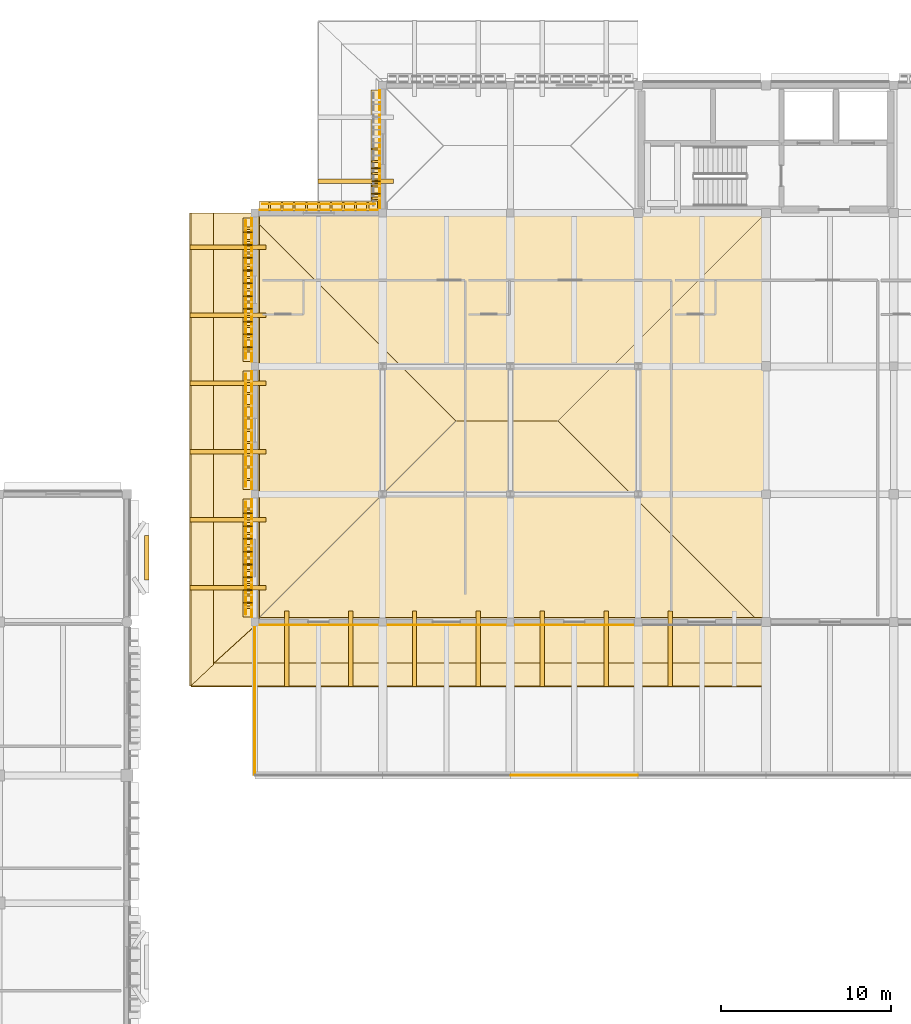
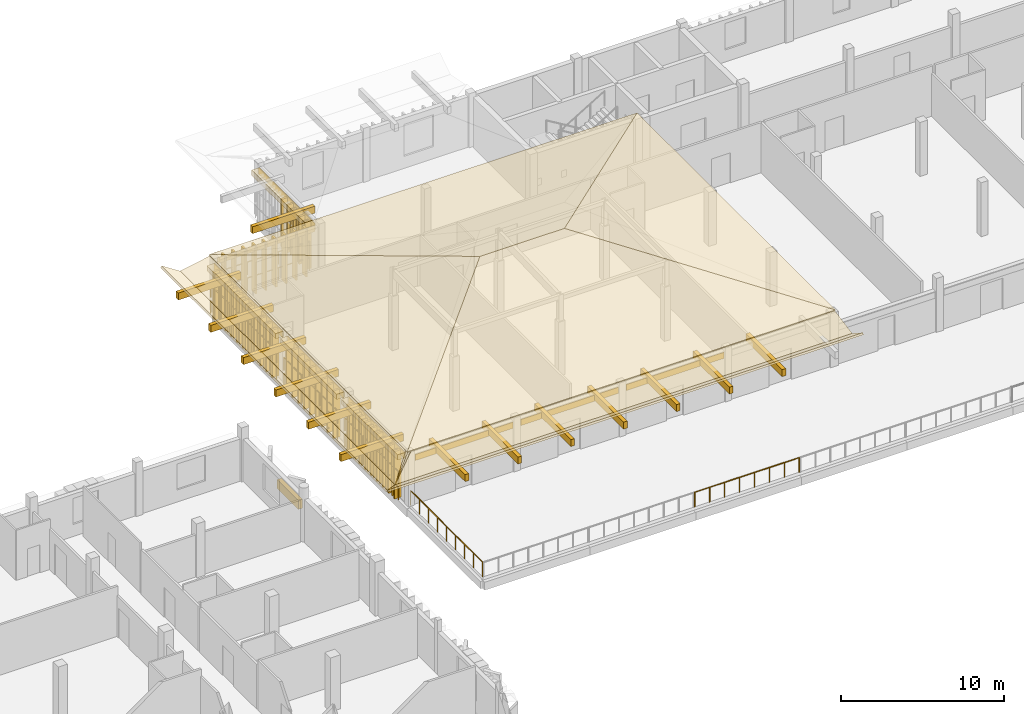
# One storey, part 40 of 48: 79 coverings, 21 shading devices, 10 railings.
"""IFC4 building model written with IfcOpenShell, lengths in metres."""

from ifc_helpers import new_model, si_unit, direction, frame, origin, origin_2d, place, context, subcontext, project, spatial, polyline, rectangle, circle, outline, extrude, material, layer, layer_set, type_object, element, save


model = new_model("IFC4")

# Units and contexts
model_context = context("Model", 3, precision=1e-05, world=origin(), true_north=direction((0.0, 1.0)))
body_context = subcontext(model_context, "Body", "Model", "MODEL_VIEW")
ifc_project = project(units=[si_unit("LENGTHUNIT", "METRE"), si_unit("AREAUNIT", "SQUARE_METRE"), si_unit("VOLUMEUNIT", "CUBIC_METRE"), si_unit("PLANEANGLEUNIT", "RADIAN"), si_unit("MASSUNIT", "GRAM", prefix="KILO")], contexts=[model_context])

# Site, building, storey
site_placement = place(None, origin())
site = spatial("IfcSite", under=ifc_project, at=site_placement, CompositionType="ELEMENT")
building_placement = place(site_placement, origin())
building = spatial("IfcBuilding", under=site, at=building_placement, Name="Dalvernix Boulevard General Hospital", CompositionType="ELEMENT")
storey_placement = place(building_placement, frame((0.0, 0.0, 17.85009765625)))
storey = spatial("IfcBuildingStorey", under=building, at=storey_placement, Name="L04", CompositionType="ELEMENT", Elevation=17.85009765625)

# Coverings
ifc_material_1 = material(Name="Polychrome glazed Catalan trencadis ceramic faceted bay spandrel")
ifc_layer_1 = layer(ifc_material_1, 0.280029296875)
ifc_layer_set_1 = layer_set([ifc_layer_1], Name="Polychrome glazed Catalan trencadis ceramic faceted bay spandrel (COV-BAY-01)")
covering_type_1 = type_object("IfcCoveringType", Name="COV-BAY-01", PredefinedType="CLADDING", material=ifc_layer_set_1)
covering_1_placement = place(storey_placement, frame((31.159912109375, 89.262451171875, 0.3798828125), z_axis=(0.0, 0.0, 1.0), x_axis=(0.0, -1.0, 0.0)))
element("IfcCovering", 1, at=covering_1_placement, inside=storey, type_object=covering_type_1, Name="L04 projecting faceted trencadis bay spandrel E 4-11", PredefinedType="CLADDING", context=body_context, shape_type="SweptSolid", body=[
    extrude(rectangle(XDim=2.60009765625, YDim=0.280029296875, at=origin_2d()), origin(), (0.0, 0.0, 1.0), 0.679931640625),
])
ifc_material_2 = material(Name="Polychrome Catalan glazed ceramic spandrel tile panel")
ifc_layer_2 = layer(ifc_material_2, 0.044921875)
ifc_layer_set_2 = layer_set([ifc_layer_2], Name="Polychrome Catalan glazed ceramic spandrel tile panel (COV-CLD-01)")
covering_type_2 = type_object("IfcCoveringType", Name="COV-CLD-01", PredefinedType="CLADDING", material=ifc_layer_set_2)
for number, where, z_axis, x_axis, name in (
    (2, (41.25, 85.330078125, 3.294921875), (0.0, 0.0, 1.0), (-1.0, 0.0, 0.0), "L04 polychrome ceramic spandrel S 5-11"),
    (3, (37.330078125, 89.25, 3.294921875), (0.0, 0.0, 1.0), (0.0, 1.0, 0.0), "L04 polychrome ceramic spandrel W 5-11"),
    (4, (37.330078125, 96.75, 3.294921875), (0.0, 0.0, 1.0), (0.0, 1.0, 0.0), "L04 polychrome ceramic spandrel W 5-12"),
    (5, (41.25, 109.669921875, 3.294921875), (0.0, 0.0, 1.0), (1.0, 0.0, 0.0), "L04 polychrome ceramic spandrel N 5-14"),
):
    element("IfcCovering", number, at=place(storey_placement, frame(where, z_axis=z_axis, x_axis=x_axis)), inside=storey, type_object=covering_type_2, Name=name, PredefinedType="CLADDING", context=body_context, shape_type="SweptSolid", body=[
        extrude(rectangle(XDim=6.929931640625, YDim=0.044921875, at=origin_2d()), origin(), (0.0, 0.0, 1.0), 0.449951171875),
    ])
covering_2_placement = place(storey_placement, frame((37.330078125, 105.0, 3.294921875), z_axis=(0.0, 0.0, 1.0), x_axis=(0.0, 1.0, 0.0)))
element("IfcCovering", 6, at=covering_2_placement, inside=storey, type_object=covering_type_2, Name="L04 polychrome ceramic spandrel W 5-13", PredefinedType="CLADDING", context=body_context, shape_type="SweptSolid", body=[
    extrude(rectangle(XDim=8.429931640625, YDim=0.044921875, at=origin_2d()), origin(), (0.0, 0.0, 1.0), 0.449951171875),
])
for number, where, z_axis, x_axis, name in (
    (7, (48.75, 85.330078125, 3.294921875), (0.0, 0.0, 1.0), (-1.0, 0.0, 0.0), "L04 polychrome ceramic spandrel S 6-11"),
    (8, (44.830078125, 113.25, 3.294921875), (0.0, 0.0, 1.0), (0.0, 1.0, 0.0), "L04 polychrome ceramic spandrel W 6-14"),
    (9, (56.25, 85.330078125, 3.294921875), (0.0, 0.0, 1.0), (-1.0, 0.0, 0.0), "L04 polychrome ceramic spandrel S 7-11"),
):
    element("IfcCovering", number, at=place(storey_placement, frame(where, z_axis=z_axis, x_axis=x_axis)), inside=storey, type_object=covering_type_2, Name=name, PredefinedType="CLADDING", context=body_context, shape_type="SweptSolid", body=[
        extrude(rectangle(XDim=6.929931640625, YDim=0.044921875, at=origin_2d()), origin(), (0.0, 0.0, 1.0), 0.449951171875),
    ])
ifc_material_3 = material(Name="Dressed ochre limestone classical plinth, stringcourse and corbelled cornice", Category="masonry")
ifc_layer_3 = layer(ifc_material_3, 0.449951171875)
ifc_layer_set_3 = layer_set([ifc_layer_3], Name="Dressed ochre limestone classical plinth, stringcourse and corbelled cornice (COV-CRN-01)")
covering_type_3 = type_object("IfcCoveringType", Name="COV-CRN-01", PredefinedType="CLADDING", material=ifc_layer_set_3)
for number, where, z_axis, x_axis, name in (
    (10, (37.090087890625, 89.25, 3.369873046875), (0.0, 0.0, 1.0), (0.0, 1.0, 0.0), "L04 classical corbelled cornice frieze W 5-11"),
    (11, (37.090087890625, 96.75, 3.369873046875), (0.0, 0.0, 1.0), (0.0, 1.0, 0.0), "L04 classical corbelled cornice frieze W 5-12"),
    (12, (41.25, 109.909912109375, 3.369873046875), (0.0, 0.0, 1.0), (1.0, 0.0, 0.0), "L04 classical corbelled cornice frieze N 5-14"),
):
    element("IfcCovering", number, at=place(storey_placement, frame(where, z_axis=z_axis, x_axis=x_axis)), inside=storey, type_object=covering_type_3, Name=name, PredefinedType="CLADDING", context=body_context, shape_type="SweptSolid", body=[
        extrude(rectangle(XDim=6.929931640625, YDim=0.56005859375, at=origin_2d()), origin(), (0.0, 0.0, 1.0), 0.39990234375),
    ])
covering_3_placement = place(storey_placement, frame((37.090087890625, 105.0, 3.369873046875), z_axis=(0.0, 0.0, 1.0), x_axis=(0.0, 1.0, 0.0)))
element("IfcCovering", 13, at=covering_3_placement, inside=storey, type_object=covering_type_3, Name="L04 classical corbelled cornice frieze W 5-13", PredefinedType="CLADDING", context=body_context, shape_type="SweptSolid", body=[
    extrude(rectangle(XDim=8.429931640625, YDim=0.56005859375, at=origin_2d()), origin(), (0.0, 0.0, 1.0), 0.39990234375),
])
covering_4_placement = place(storey_placement, frame((44.590087890625, 113.25, 3.369873046875), z_axis=(0.0, 0.0, 1.0), x_axis=(0.0, 1.0, 0.0)))
element("IfcCovering", 14, at=covering_4_placement, inside=storey, type_object=covering_type_3, Name="L04 classical corbelled cornice frieze W 6-14", PredefinedType="CLADDING", context=body_context, shape_type="SweptSolid", body=[
    extrude(rectangle(XDim=6.929931640625, YDim=0.56005859375, at=origin_2d()), origin(), (0.0, 0.0, 1.0), 0.39990234375),
])
ifc_material_4 = material(Name="Glazed Catalan terracotta and iroko timber overhanging upturned eave", Category="masonry")
ifc_layer_4 = layer(ifc_material_4, 0.139892578125)
ifc_layer_set_4 = layer_set([ifc_layer_4], Name="Glazed Catalan terracotta and iroko timber overhanging upturned eave (COV-EAVE-01)")
covering_type_4 = type_object("IfcCoveringType", Name="COV-EAVE-01", PredefinedType="CLADDING", material=ifc_layer_set_4)
covering_5_placement = place(storey_placement, frame((37.5, 85.75, 4.309814453125), z_axis=(0.0, -0.185805173125, 0.982586605669), x_axis=(1.0, 0.0, 0.0)))
element("IfcCovering", 15, at=covering_5_placement, inside=storey, type_object=covering_type_4, Name="V3W overhanging ceramic eave skirt S", PredefinedType="CLADDING", context=body_context, shape_type="SweptSolid", body=[
    extrude(outline(polyline([(0.0, 0.0), (30.0, 0.0), (30.0, -2.798735484621844), (-2.5, -2.798735484621844), (0.0, 0.0)])), origin(), (0.0, 0.0, -1.0), 0.139892578125),
])
covering_6_placement = place(storey_placement, frame((35.0, 83.080078125, 3.789794921875), z_axis=(0.0, 0.543014792189, 0.839723130242), x_axis=(1.0, 0.0, 0.0)))
element("IfcCovering", 16, at=covering_6_placement, inside=storey, type_object=covering_type_4, Name="V3W upturned ceramic eave wing S", PredefinedType="CLADDING", context=body_context, shape_type="SweptSolid", body=[
    extrude(outline(polyline([(0.0, 0.0), (32.5, 0.0), (32.5, -1.5839484195414872), (-1.25, -1.5839484195414872), (0.0, 0.0)])), origin(), (0.0, 0.0, -1.0), 0.139892578125),
])
covering_7_placement = place(storey_placement, frame((37.75, 109.5, 4.309814453125), z_axis=(-0.185805173125, 0.0, 0.982586605669), x_axis=(0.0, -1.0, 0.0)))
element("IfcCovering", 17, at=covering_7_placement, inside=storey, type_object=covering_type_4, Name="V3W overhanging ceramic eave skirt W", PredefinedType="CLADDING", context=body_context, shape_type="SweptSolid", body=[
    extrude(outline(polyline([(0.0, 0.0), (24.0, 0.0), (26.5, -2.798735484621844), (0.0, -2.798735484621844), (0.0, 0.0)])), origin(), (0.0, 0.0, -1.0), 0.139892578125),
])
covering_8_placement = place(storey_placement, frame((35.080078125, 109.5, 3.789794921875), z_axis=(0.543014792189, 0.0, 0.839723130242), x_axis=(0.0, -1.0, 0.0)))
element("IfcCovering", 18, at=covering_8_placement, inside=storey, type_object=covering_type_4, Name="V3W upturned ceramic eave wing W", PredefinedType="CLADDING", context=body_context, shape_type="SweptSolid", body=[
    extrude(outline(polyline([(0.0, 0.0), (26.5, 0.0), (27.75, -1.583948419541487), (0.0, -1.583948419541487), (0.0, 0.0)])), origin(), (0.0, 0.0, -1.0), 0.139892578125),
])
ifc_material_5 = material(Name="Preservative-treated glulam GL28h eave outlooker corbel bracket", Category="wood")
ifc_layer_5 = layer(ifc_material_5, 0.239990234375)
ifc_layer_set_5 = layer_set([ifc_layer_5], Name="Preservative-treated glulam GL28h eave outlooker corbel bracket (COV-OUTLOOK-01)")
covering_type_5 = type_object("IfcCoveringType", Name="COV-OUTLOOK-01", PredefinedType="CLADDING", material=ifc_layer_set_5)
for number, where, z_axis, x_axis, name in (
    (19, (39.375, 83.925048828125, 3.389892578125), (0.0, 0.0, 1.0), (1.0, 0.0, 0.0), "V3W glulam eave outlooker corbel S-1"),
    (20, (43.125, 83.925048828125, 3.389892578125), (0.0, 0.0, 1.0), (1.0, 0.0, 0.0), "V3W glulam eave outlooker corbel S-2"),
    (21, (46.875, 83.925048828125, 3.389892578125), (0.0, 0.0, 1.0), (1.0, 0.0, 0.0), "V3W glulam eave outlooker corbel S-3"),
    (22, (50.625, 83.925048828125, 3.389892578125), (0.0, 0.0, 1.0), (1.0, 0.0, 0.0), "V3W glulam eave outlooker corbel S-4"),
    (23, (54.375, 83.925048828125, 3.389892578125), (0.0, 0.0, 1.0), (1.0, 0.0, 0.0), "V3W glulam eave outlooker corbel S-5"),
    (24, (58.125, 83.925048828125, 3.389892578125), (0.0, 0.0, 1.0), (1.0, 0.0, 0.0), "V3W glulam eave outlooker corbel S-6"),
    (25, (61.875, 83.925048828125, 3.389892578125), (0.0, 0.0, 1.0), (1.0, 0.0, 0.0), "V3W glulam eave outlooker corbel S-7"),
):
    element("IfcCovering", number, at=place(storey_placement, frame(where, z_axis=z_axis, x_axis=x_axis)), inside=storey, type_object=covering_type_5, Name=name, PredefinedType="CLADDING", context=body_context, shape_type="SweptSolid", body=[
        extrude(rectangle(XDim=0.260009765625, YDim=4.449951171875, at=origin_2d()), origin(), (0.0, 0.0, 1.0), 0.52001953125),
    ])
for number, where, z_axis, x_axis, name in (
    (26, (35.925048828125, 87.5, 3.389892578125), (0.0, 0.0, 1.0), (1.0, 0.0, 0.0), "V3W glulam eave outlooker corbel W-1"),
    (27, (35.925048828125, 91.5, 3.389892578125), (0.0, 0.0, 1.0), (1.0, 0.0, 0.0), "V3W glulam eave outlooker corbel W-2"),
    (28, (35.925048828125, 95.5, 3.389892578125), (0.0, 0.0, 1.0), (1.0, 0.0, 0.0), "V3W glulam eave outlooker corbel W-3"),
    (29, (35.925048828125, 99.5, 3.389892578125), (0.0, 0.0, 1.0), (1.0, 0.0, 0.0), "V3W glulam eave outlooker corbel W-4"),
    (30, (35.925048828125, 103.5, 3.389892578125), (0.0, 0.0, 1.0), (1.0, 0.0, 0.0), "V3W glulam eave outlooker corbel W-5"),
    (31, (35.925048828125, 107.5, 3.389892578125), (0.0, 0.0, 1.0), (1.0, 0.0, 0.0), "V3W glulam eave outlooker corbel W-6"),
    (32, (43.425048828125, 111.375, 3.389892578125), (0.0, 0.0, 1.0), (1.0, 0.0, 0.0), "V3NW glulam eave outlooker corbel W-1"),
):
    element("IfcCovering", number, at=place(storey_placement, frame(where, z_axis=z_axis, x_axis=x_axis)), inside=storey, type_object=covering_type_5, Name=name, PredefinedType="CLADDING", context=body_context, shape_type="SweptSolid", body=[
        extrude(rectangle(XDim=4.449951171875, YDim=0.260009765625, at=origin_2d()), origin(), (0.0, 0.0, 1.0), 0.52001953125),
    ])
ifc_material_6 = material(Name="Polychrome Catalan glazed terracotta roof tiles", Category="masonry")
ifc_layer_6 = layer(ifc_material_6, 0.050048828125)
ifc_layer_set_6 = layer_set([ifc_layer_6], Name="Polychrome Catalan glazed terracotta roof tiles (COV-ROOF-01)")
covering_type_6 = type_object("IfcCoveringType", Name="COV-ROOF-01", PredefinedType="ROOFING", material=ifc_layer_set_6)
for number, where, z_axis, x_axis, name in (
    (33, (37.10009765625, 85.10009765625, 4.31982421875), (0.0, -0.238532452459, 0.97113452679), (1.0, 0.0, 0.0), "V3W glazed terracotta tile slope S"),
    (34, (67.5, 109.5, 4.31982421875), (0.0, 0.238532452459, 0.97113452679), (-1.0, 0.0, 0.0), "V3W glazed terracotta tile slope N"),
):
    element("IfcCovering", number, at=place(storey_placement, frame(where, z_axis=z_axis, x_axis=x_axis)), inside=storey, type_object=covering_type_6, Name=name, PredefinedType="ROOFING", context=body_context, shape_type="SweptSolid", body=[
        extrude(outline(polyline([(0.0, 0.0), (30.39990234375, 0.0), (18.199951171875, 12.562575869070187), (12.199951171875, 12.562575869070187), (0.0, 0.0)])), origin(), (0.0, 0.0, -1.0), 0.050048828125),
    ])
for number, where, z_axis, x_axis, name in (
    (35, (37.10009765625, 109.5, 4.31982421875), (-0.238532452459, 0.0, 0.97113452679), (0.0, -1.0, 0.0), "V3W glazed terracotta tile slope W"),
    (36, (67.5, 85.10009765625, 4.31982421875), (0.238532452459, 0.0, 0.97113452679), (0.0, 1.0, 0.0), "V3W glazed terracotta tile slope E"),
):
    element("IfcCovering", number, at=place(storey_placement, frame(where, z_axis=z_axis, x_axis=x_axis)), inside=storey, type_object=covering_type_6, Name=name, PredefinedType="ROOFING", context=body_context, shape_type="SweptSolid", body=[
        extrude(outline(polyline([(0.0, 0.0), (24.39990234375, 0.0), (12.199951171875, 12.562575869070187), (0.0, 0.0)])), origin(), (0.0, 0.0, -1.0), 0.050048828125),
    ])
ifc_material_7 = material(Name="Preservative-treated West African iroko timber lattice screen", Category="wood")
ifc_layer_7 = layer(ifc_material_7, 0.1201171875)
ifc_layer_set_7 = layer_set([ifc_layer_7], Name="Preservative-treated West African iroko timber lattice screen (COV-TSCR-01)")
covering_type_7 = type_object("IfcCoveringType", Name="COV-TSCR-01", PredefinedType="CLADDING", material=ifc_layer_set_7)
for number, where, z_axis, x_axis, name in (
    (37, (37.1298828125, 86.3701171875, 0.10009765625), (0.0, 0.0, 1.0), (0.0, 1.0, 0.0), "L04 upper-ward timber screen blade W 5-11-1"),
    (38, (37.1298828125, 87.090087890625, 0.10009765625), (0.0, 0.0, 1.0), (0.0, 1.0, 0.0), "L04 upper-ward timber screen blade W 5-11-2"),
    (39, (37.1298828125, 87.81005859375, 0.10009765625), (0.0, 0.0, 1.0), (0.0, 1.0, 0.0), "L04 upper-ward timber screen blade W 5-11-3"),
    (40, (37.1298828125, 88.530029296875, 0.10009765625), (0.0, 0.0, 1.0), (0.0, 1.0, 0.0), "L04 upper-ward timber screen blade W 5-11-4"),
    (41, (37.1298828125, 89.25, 0.10009765625), (0.0, 0.0, 1.0), (0.0, 1.0, 0.0), "L04 upper-ward timber screen blade W 5-11-5"),
    (42, (37.1298828125, 89.969970703125, 0.10009765625), (0.0, 0.0, 1.0), (0.0, 1.0, 0.0), "L04 upper-ward timber screen blade W 5-11-6"),
    (43, (37.1298828125, 90.68994140625, 0.10009765625), (0.0, 0.0, 1.0), (0.0, 1.0, 0.0), "L04 upper-ward timber screen blade W 5-11-7"),
    (44, (37.1298828125, 91.409912109375, 0.10009765625), (0.0, 0.0, 1.0), (0.0, 1.0, 0.0), "L04 upper-ward timber screen blade W 5-11-8"),
    (45, (37.1298828125, 92.1298828125, 0.10009765625), (0.0, 0.0, 1.0), (0.0, 1.0, 0.0), "L04 upper-ward timber screen blade W 5-11-9"),
    (46, (37.1298828125, 93.8701171875, 0.10009765625), (0.0, 0.0, 1.0), (0.0, 1.0, 0.0), "L04 upper-ward timber screen blade W 5-12-1"),
    (47, (37.1298828125, 94.590087890625, 0.10009765625), (0.0, 0.0, 1.0), (0.0, 1.0, 0.0), "L04 upper-ward timber screen blade W 5-12-2"),
    (48, (37.1298828125, 95.31005859375, 0.10009765625), (0.0, 0.0, 1.0), (0.0, 1.0, 0.0), "L04 upper-ward timber screen blade W 5-12-3"),
    (49, (37.1298828125, 96.030029296875, 0.10009765625), (0.0, 0.0, 1.0), (0.0, 1.0, 0.0), "L04 upper-ward timber screen blade W 5-12-4"),
    (50, (37.1298828125, 96.75, 0.10009765625), (0.0, 0.0, 1.0), (0.0, 1.0, 0.0), "L04 upper-ward timber screen blade W 5-12-5"),
    (51, (37.1298828125, 97.469970703125, 0.10009765625), (0.0, 0.0, 1.0), (0.0, 1.0, 0.0), "L04 upper-ward timber screen blade W 5-12-6"),
    (52, (37.1298828125, 98.18994140625, 0.10009765625), (0.0, 0.0, 1.0), (0.0, 1.0, 0.0), "L04 upper-ward timber screen blade W 5-12-7"),
    (53, (37.1298828125, 98.909912109375, 0.10009765625), (0.0, 0.0, 1.0), (0.0, 1.0, 0.0), "L04 upper-ward timber screen blade W 5-12-8"),
    (54, (37.1298828125, 99.6298828125, 0.10009765625), (0.0, 0.0, 1.0), (0.0, 1.0, 0.0), "L04 upper-ward timber screen blade W 5-12-9"),
    (55, (38.3701171875, 109.8701171875, 0.10009765625), (0.0, 0.0, 1.0), (1.0, 0.0, 0.0), "L04 upper-ward timber screen blade N 5-14-1"),
    (56, (39.090087890625, 109.8701171875, 0.10009765625), (0.0, 0.0, 1.0), (1.0, 0.0, 0.0), "L04 upper-ward timber screen blade N 5-14-2"),
    (57, (39.81005859375, 109.8701171875, 0.10009765625), (0.0, 0.0, 1.0), (1.0, 0.0, 0.0), "L04 upper-ward timber screen blade N 5-14-3"),
    (58, (40.530029296875, 109.8701171875, 0.10009765625), (0.0, 0.0, 1.0), (1.0, 0.0, 0.0), "L04 upper-ward timber screen blade N 5-14-4"),
    (59, (41.25, 109.8701171875, 0.10009765625), (0.0, 0.0, 1.0), (1.0, 0.0, 0.0), "L04 upper-ward timber screen blade N 5-14-5"),
    (60, (41.969970703125, 109.8701171875, 0.10009765625), (0.0, 0.0, 1.0), (1.0, 0.0, 0.0), "L04 upper-ward timber screen blade N 5-14-6"),
    (61, (42.68994140625, 109.8701171875, 0.10009765625), (0.0, 0.0, 1.0), (1.0, 0.0, 0.0), "L04 upper-ward timber screen blade N 5-14-7"),
    (62, (43.409912109375, 109.8701171875, 0.10009765625), (0.0, 0.0, 1.0), (1.0, 0.0, 0.0), "L04 upper-ward timber screen blade N 5-14-8"),
    (63, (44.1298828125, 109.8701171875, 0.10009765625), (0.0, 0.0, 1.0), (1.0, 0.0, 0.0), "L04 upper-ward timber screen blade N 5-14-9"),
    (64, (37.1298828125, 101.39990234375, 0.10009765625), (0.0, 0.0, 1.0), (0.0, 1.0, 0.0), "L04 upper-ward timber screen blade W 5-13-1"),
    (65, (37.1298828125, 102.1201171875, 0.10009765625), (0.0, 0.0, 1.0), (0.0, 1.0, 0.0), "L04 upper-ward timber screen blade W 5-13-2"),
    (66, (37.1298828125, 102.840087890625, 0.10009765625), (0.0, 0.0, 1.0), (0.0, 1.0, 0.0), "L04 upper-ward timber screen blade W 5-13-3"),
    (67, (37.1298828125, 103.56005859375, 0.10009765625), (0.0, 0.0, 1.0), (0.0, 1.0, 0.0), "L04 upper-ward timber screen blade W 5-13-4"),
    (68, (37.1298828125, 104.280029296875, 0.10009765625), (0.0, 0.0, 1.0), (0.0, 1.0, 0.0), "L04 upper-ward timber screen blade W 5-13-5"),
    (69, (37.1298828125, 105.0, 0.10009765625), (0.0, 0.0, 1.0), (0.0, 1.0, 0.0), "L04 upper-ward timber screen blade W 5-13-6"),
    (70, (37.1298828125, 105.719970703125, 0.10009765625), (0.0, 0.0, 1.0), (0.0, 1.0, 0.0), "L04 upper-ward timber screen blade W 5-13-7"),
    (71, (37.1298828125, 106.43994140625, 0.10009765625), (0.0, 0.0, 1.0), (0.0, 1.0, 0.0), "L04 upper-ward timber screen blade W 5-13-8"),
    (72, (37.1298828125, 107.159912109375, 0.10009765625), (0.0, 0.0, 1.0), (0.0, 1.0, 0.0), "L04 upper-ward timber screen blade W 5-13-9"),
    (73, (37.1298828125, 107.8798828125, 0.10009765625), (0.0, 0.0, 1.0), (0.0, 1.0, 0.0), "L04 upper-ward timber screen blade W 5-13-10"),
    (74, (37.1298828125, 108.60009765625, 0.10009765625), (0.0, 0.0, 1.0), (0.0, 1.0, 0.0), "L04 upper-ward timber screen blade W 5-13-11"),
    (75, (44.6298828125, 110.3701171875, 0.10009765625), (0.0, 0.0, 1.0), (0.0, 1.0, 0.0), "L04 upper-ward timber screen blade W 6-14-1"),
    (76, (44.6298828125, 111.090087890625, 0.10009765625), (0.0, 0.0, 1.0), (0.0, 1.0, 0.0), "L04 upper-ward timber screen blade W 6-14-2"),
    (77, (44.6298828125, 111.81005859375, 0.10009765625), (0.0, 0.0, 1.0), (0.0, 1.0, 0.0), "L04 upper-ward timber screen blade W 6-14-3"),
    (78, (44.6298828125, 112.530029296875, 0.10009765625), (0.0, 0.0, 1.0), (0.0, 1.0, 0.0), "L04 upper-ward timber screen blade W 6-14-4"),
    (79, (44.6298828125, 113.25, 0.10009765625), (0.0, 0.0, 1.0), (0.0, 1.0, 0.0), "L04 upper-ward timber screen blade W 6-14-5"),
):
    element("IfcCovering", number, at=place(storey_placement, frame(where, z_axis=z_axis, x_axis=x_axis)), inside=storey, type_object=covering_type_7, Name=name, PredefinedType="CLADDING", context=body_context, shape_type="SweptSolid", body=[
        extrude(rectangle(XDim=0.1298828125, YDim=0.47998046875, at=origin_2d()), origin(), (0.0, 0.0, 1.0), 3.570068359375),
    ])

# Railings
ifc_material_8 = material(Name="Powder-coated galvanized steel balustrade", Category="steel")
railing_type_1 = type_object("IfcRailingType", Name="RL-GR-EXT1", PredefinedType="BALUSTRADE", material=ifc_material_8)
railing_1_placement = place(storey_placement, frame((59.9599609375, 76.5, 0.0)))
element("IfcRailing", 80, at=railing_1_placement, inside=storey, type_object=railing_type_1, Name="L04 terrace safety balustrade 12", PredefinedType="BALUSTRADE", context=body_context, shape_type="SweptSolid", body=[
    extrude(circle(Radius=0.02392578125, at=origin_2d()), frame((0.0, 0.0, 1.09619140625), z_axis=(-1.0, 0.0, 0.0), x_axis=(0.0, -1.0, 0.0)), (0.0, 0.0, 1.0), 7.419921875),
    extrude(circle(Radius=0.02099609375, at=origin_2d()), origin(), (0.0, 0.0, 1.0), 1.072021484375),
    extrude(circle(Radius=0.02099609375, at=origin_2d()), frame((-1.06005859375, 0.0, 0.0)), (0.0, 0.0, 1.0), 1.072021484375),
    extrude(circle(Radius=0.02099609375, at=origin_2d()), frame((-2.119873046875, 0.0, 0.0)), (0.0, 0.0, 1.0), 1.072021484375),
    extrude(circle(Radius=0.02099609375, at=origin_2d()), frame((-3.179931640625, 0.0, 0.0)), (0.0, 0.0, 1.0), 1.072021484375),
    extrude(circle(Radius=0.02099609375, at=origin_2d()), frame((-4.239990234375, 0.0, 0.0)), (0.0, 0.0, 1.0), 1.072021484375),
    extrude(circle(Radius=0.02099609375, at=origin_2d()), frame((-5.300048828125, 0.0, 0.0)), (0.0, 0.0, 1.0), 1.072021484375),
    extrude(circle(Radius=0.02099609375, at=origin_2d()), frame((-6.35986328125, 0.0, 0.0)), (0.0, 0.0, 1.0), 1.072021484375),
    extrude(circle(Radius=0.02099609375, at=origin_2d()), frame((-7.419921875, 0.0, 0.0)), (0.0, 0.0, 1.0), 1.072021484375),
])
railing_2_placement = place(storey_placement, frame((37.5, 76.5400390625, 0.0)))
element("IfcRailing", 81, at=railing_2_placement, inside=storey, type_object=railing_type_1, Name="L04 terrace safety balustrade 15", PredefinedType="BALUSTRADE", context=body_context, shape_type="SweptSolid", body=[
    extrude(circle(Radius=0.02392578125, at=origin_2d()), frame((0.0, 0.0, 1.09619140625), z_axis=(0.0, 1.0, 0.0), x_axis=(-1.0, 0.0, 0.0)), (0.0, 0.0, 1.0), 8.869873046875),
    extrude(circle(Radius=0.02099609375, at=origin_2d()), origin(), (0.0, 0.0, 1.0), 1.072021484375),
    extrude(circle(Radius=0.02099609375, at=origin_2d()), frame((0.0, 1.108642578125, 0.0)), (0.0, 0.0, 1.0), 1.072021484375),
    extrude(circle(Radius=0.02099609375, at=origin_2d()), frame((0.0, 2.217529296875, 0.0)), (0.0, 0.0, 1.0), 1.072021484375),
    extrude(circle(Radius=0.02099609375, at=origin_2d()), frame((0.0, 3.326171875, 0.0)), (0.0, 0.0, 1.0), 1.072021484375),
    extrude(circle(Radius=0.02099609375, at=origin_2d()), frame((0.0, 4.43505859375, 0.0)), (0.0, 0.0, 1.0), 1.072021484375),
    extrude(circle(Radius=0.02099609375, at=origin_2d()), frame((0.0, 5.543701171875, 0.0)), (0.0, 0.0, 1.0), 1.072021484375),
    extrude(circle(Radius=0.02099609375, at=origin_2d()), frame((0.0, 6.65234375, 0.0)), (0.0, 0.0, 1.0), 1.072021484375),
    extrude(circle(Radius=0.02099609375, at=origin_2d()), frame((0.0, 7.76123046875, 0.0)), (0.0, 0.0, 1.0), 1.072021484375),
    extrude(circle(Radius=0.02099609375, at=origin_2d()), frame((0.0, 8.869873046875, 0.0)), (0.0, 0.0, 1.0), 1.072021484375),
])
ifc_material_9 = material(Name="Preservative-treated iroko timber horizontal screen louver rail", Category="wood")
railing_type_2 = type_object("IfcRailingType", Name="RL-TSCR-01", PredefinedType="BALUSTRADE", material=ifc_material_9)
for number, where, name in (
    (82, (36.969970703125, 85.955078125, 0.25), "L04 upper-ward horizontal timber screen louver W 5-11-1"),
    (83, (36.969970703125, 85.955078125, 1.449951171875), "L04 upper-ward horizontal timber screen louver W 5-11-2"),
    (84, (36.969970703125, 93.455078125, 0.25), "L04 upper-ward horizontal timber screen louver W 5-12-1"),
    (85, (36.969970703125, 93.455078125, 1.449951171875), "L04 upper-ward horizontal timber screen louver W 5-12-2"),
):
    element("IfcRailing", number, at=place(storey_placement, frame(where)), inside=storey, type_object=railing_type_2, Name=name, PredefinedType="BALUSTRADE", context=body_context, shape_type="SweptSolid", body=[
        extrude(circle(Radius=0.02392578125, at=origin_2d()), frame((0.0, 0.0, 0.92578125), z_axis=(0.0, 1.0, 0.0), x_axis=(-1.0, 0.0, 0.0)), (0.0, 0.0, 1.0), 6.58984375),
        extrude(circle(Radius=0.02099609375, at=origin_2d()), origin(), (0.0, 0.0, 1.0), 0.90185546875),
        extrude(circle(Radius=0.02099609375, at=origin_2d()), frame((0.0, 1.098388671875, 0.0)), (0.0, 0.0, 1.0), 0.90185546875),
        extrude(circle(Radius=0.02099609375, at=origin_2d()), frame((0.0, 2.196533203125, 0.0)), (0.0, 0.0, 1.0), 0.90185546875),
        extrude(circle(Radius=0.02099609375, at=origin_2d()), frame((0.0, 3.294921875, 0.0)), (0.0, 0.0, 1.0), 0.90185546875),
        extrude(circle(Radius=0.02099609375, at=origin_2d()), frame((0.0, 4.393310546875, 0.0)), (0.0, 0.0, 1.0), 0.90185546875),
        extrude(circle(Radius=0.02099609375, at=origin_2d()), frame((0.0, 5.491455078125, 0.0)), (0.0, 0.0, 1.0), 0.90185546875),
        extrude(circle(Radius=0.02099609375, at=origin_2d()), frame((0.0, 6.58984375, 0.0)), (0.0, 0.0, 1.0), 0.90185546875),
    ])
for number, where, name in (
    (86, (37.955078125, 110.030029296875, 0.25), "L04 upper-ward horizontal timber screen louver N 5-14-1"),
    (87, (37.955078125, 110.030029296875, 1.449951171875), "L04 upper-ward horizontal timber screen louver N 5-14-2"),
):
    element("IfcRailing", number, at=place(storey_placement, frame(where)), inside=storey, type_object=railing_type_2, Name=name, PredefinedType="BALUSTRADE", context=body_context, shape_type="SweptSolid", body=[
        extrude(circle(Radius=0.02392578125, at=origin_2d()), frame((0.0, 0.0, 0.92578125), z_axis=(1.0, 0.0, 0.0), x_axis=(0.0, 1.0, 0.0)), (0.0, 0.0, 1.0), 6.58984375),
        extrude(circle(Radius=0.02099609375, at=origin_2d()), origin(), (0.0, 0.0, 1.0), 0.90185546875),
        extrude(circle(Radius=0.02099609375, at=origin_2d()), frame((1.098388671875, 0.0, 0.0)), (0.0, 0.0, 1.0), 0.90185546875),
        extrude(circle(Radius=0.02099609375, at=origin_2d()), frame((2.196533203125, 0.0, 0.0)), (0.0, 0.0, 1.0), 0.90185546875),
        extrude(circle(Radius=0.02099609375, at=origin_2d()), frame((3.294921875, 0.0, 0.0)), (0.0, 0.0, 1.0), 0.90185546875),
        extrude(circle(Radius=0.02099609375, at=origin_2d()), frame((4.393310546875, 0.0, 0.0)), (0.0, 0.0, 1.0), 0.90185546875),
        extrude(circle(Radius=0.02099609375, at=origin_2d()), frame((5.491455078125, 0.0, 0.0)), (0.0, 0.0, 1.0), 0.90185546875),
        extrude(circle(Radius=0.02099609375, at=origin_2d()), frame((6.58984375, 0.0, 0.0)), (0.0, 0.0, 1.0), 0.90185546875),
    ])
for number, where, name in (
    (88, (36.969970703125, 100.955078125, 0.25), "L04 upper-ward horizontal timber screen louver W 5-13-1"),
    (89, (36.969970703125, 100.955078125, 1.449951171875), "L04 upper-ward horizontal timber screen louver W 5-13-2"),
):
    element("IfcRailing", number, at=place(storey_placement, frame(where)), inside=storey, type_object=railing_type_2, Name=name, PredefinedType="BALUSTRADE", context=body_context, shape_type="SweptSolid", body=[
        extrude(circle(Radius=0.02392578125, at=origin_2d()), frame((0.0, 0.0, 0.92578125), z_axis=(0.0, 1.0, 0.0), x_axis=(-1.0, 0.0, 0.0)), (0.0, 0.0, 1.0), 8.08984375),
        extrude(circle(Radius=0.02099609375, at=origin_2d()), origin(), (0.0, 0.0, 1.0), 0.90185546875),
        extrude(circle(Radius=0.02099609375, at=origin_2d()), frame((0.0, 1.15576171875, 0.0)), (0.0, 0.0, 1.0), 0.90185546875),
        extrude(circle(Radius=0.02099609375, at=origin_2d()), frame((0.0, 2.311279296875, 0.0)), (0.0, 0.0, 1.0), 0.90185546875),
        extrude(circle(Radius=0.02099609375, at=origin_2d()), frame((0.0, 3.467041015625, 0.0)), (0.0, 0.0, 1.0), 0.90185546875),
        extrude(circle(Radius=0.02099609375, at=origin_2d()), frame((0.0, 4.622802734375, 0.0)), (0.0, 0.0, 1.0), 0.90185546875),
        extrude(circle(Radius=0.02099609375, at=origin_2d()), frame((0.0, 5.778564453125, 0.0)), (0.0, 0.0, 1.0), 0.90185546875),
        extrude(circle(Radius=0.02099609375, at=origin_2d()), frame((0.0, 6.93408203125, 0.0)), (0.0, 0.0, 1.0), 0.90185546875),
        extrude(circle(Radius=0.02099609375, at=origin_2d()), frame((0.0, 8.08984375, 0.0)), (0.0, 0.0, 1.0), 0.90185546875),
    ])

# Shading devices
ifc_material_10 = material(Name="Preservative-treated West African iroko timber", Category="wood")
shading_device_type = type_object("IfcShadingDeviceType", Name="SHD-FIN-01", PredefinedType="USERDEFINED", material=ifc_material_10)
for number, where, z_axis, x_axis, name in (
    (90, (37.1201171875, 86.625, 0.175048828125), (0.0, 0.0, 1.0), (0.0, 1.0, 0.0), "L04 iroko brise-soleil fin 1"),
    (91, (37.1201171875, 87.375, 0.175048828125), (0.0, 0.0, 1.0), (0.0, 1.0, 0.0), "L04 iroko brise-soleil fin 2"),
    (92, (37.1201171875, 88.125, 0.175048828125), (0.0, 0.0, 1.0), (0.0, 1.0, 0.0), "L04 iroko brise-soleil fin 3"),
    (93, (37.1201171875, 88.875, 0.175048828125), (0.0, 0.0, 1.0), (0.0, 1.0, 0.0), "L04 iroko brise-soleil fin 4"),
    (94, (37.1201171875, 89.625, 0.175048828125), (0.0, 0.0, 1.0), (0.0, 1.0, 0.0), "L04 iroko brise-soleil fin 5"),
    (95, (37.1201171875, 90.375, 0.175048828125), (0.0, 0.0, 1.0), (0.0, 1.0, 0.0), "L04 iroko brise-soleil fin 6"),
    (96, (37.1201171875, 91.125, 0.175048828125), (0.0, 0.0, 1.0), (0.0, 1.0, 0.0), "L04 iroko brise-soleil fin 7"),
    (97, (37.1201171875, 91.875, 0.175048828125), (0.0, 0.0, 1.0), (0.0, 1.0, 0.0), "L04 iroko brise-soleil fin 8"),
    (98, (37.1201171875, 101.625, 0.175048828125), (0.0, 0.0, 1.0), (0.0, 1.0, 0.0), "L04 iroko brise-soleil fin 1"),
    (99, (37.1201171875, 102.375, 0.175048828125), (0.0, 0.0, 1.0), (0.0, 1.0, 0.0), "L04 iroko brise-soleil fin 2"),
    (100, (37.1201171875, 103.125, 0.175048828125), (0.0, 0.0, 1.0), (0.0, 1.0, 0.0), "L04 iroko brise-soleil fin 3"),
    (101, (37.1201171875, 103.875, 0.175048828125), (0.0, 0.0, 1.0), (0.0, 1.0, 0.0), "L04 iroko brise-soleil fin 4"),
    (102, (37.1201171875, 104.625, 0.175048828125), (0.0, 0.0, 1.0), (0.0, 1.0, 0.0), "L04 iroko brise-soleil fin 5"),
    (103, (37.1201171875, 105.375, 0.175048828125), (0.0, 0.0, 1.0), (0.0, 1.0, 0.0), "L04 iroko brise-soleil fin 6"),
    (104, (37.1201171875, 106.125, 0.175048828125), (0.0, 0.0, 1.0), (0.0, 1.0, 0.0), "L04 iroko brise-soleil fin 7"),
    (105, (37.1201171875, 106.875, 0.175048828125), (0.0, 0.0, 1.0), (0.0, 1.0, 0.0), "L04 iroko brise-soleil fin 8"),
    (106, (37.1201171875, 107.625, 0.175048828125), (0.0, 0.0, 1.0), (0.0, 1.0, 0.0), "L04 iroko brise-soleil fin 9"),
    (107, (37.1201171875, 108.375, 0.175048828125), (0.0, 0.0, 1.0), (0.0, 1.0, 0.0), "L04 iroko brise-soleil fin 10"),
    (108, (44.6201171875, 110.625, 0.175048828125), (0.0, 0.0, 1.0), (0.0, 1.0, 0.0), "L04 iroko brise-soleil fin 1"),
    (109, (44.6201171875, 111.375, 0.175048828125), (0.0, 0.0, 1.0), (0.0, 1.0, 0.0), "L04 iroko brise-soleil fin 2"),
    (110, (44.6201171875, 112.125, 0.175048828125), (0.0, 0.0, 1.0), (0.0, 1.0, 0.0), "L04 iroko brise-soleil fin 3"),
):
    element("IfcShadingDevice", number, at=place(storey_placement, frame(where, z_axis=z_axis, x_axis=x_axis)), inside=storey, type_object=shading_device_type, Name=name, ObjectType="FIN", PredefinedType="USERDEFINED", context=body_context, shape_type="SweptSolid", body=[
        extrude(rectangle(XDim=0.06494140625, YDim=0.47998046875, at=origin_2d()), origin(), (0.0, 0.0, 1.0), 3.419921875),
    ])

save(model, "model.ifc")
